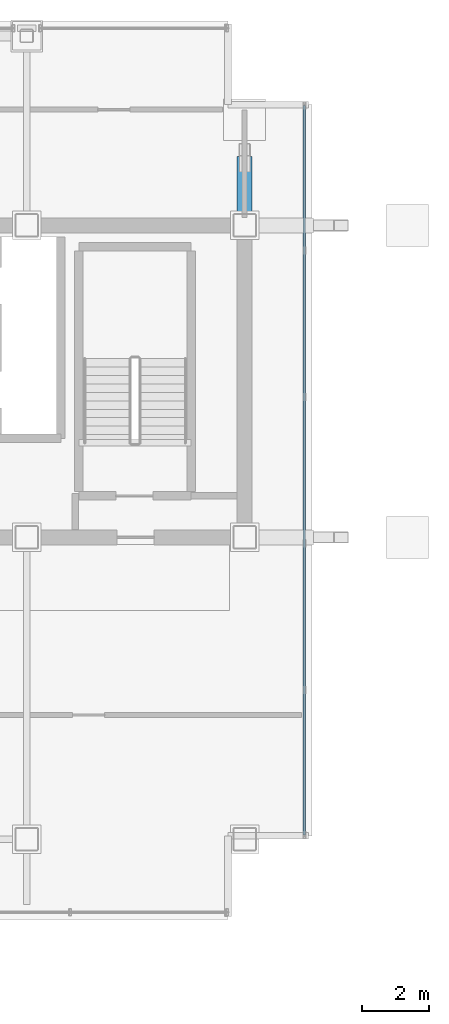
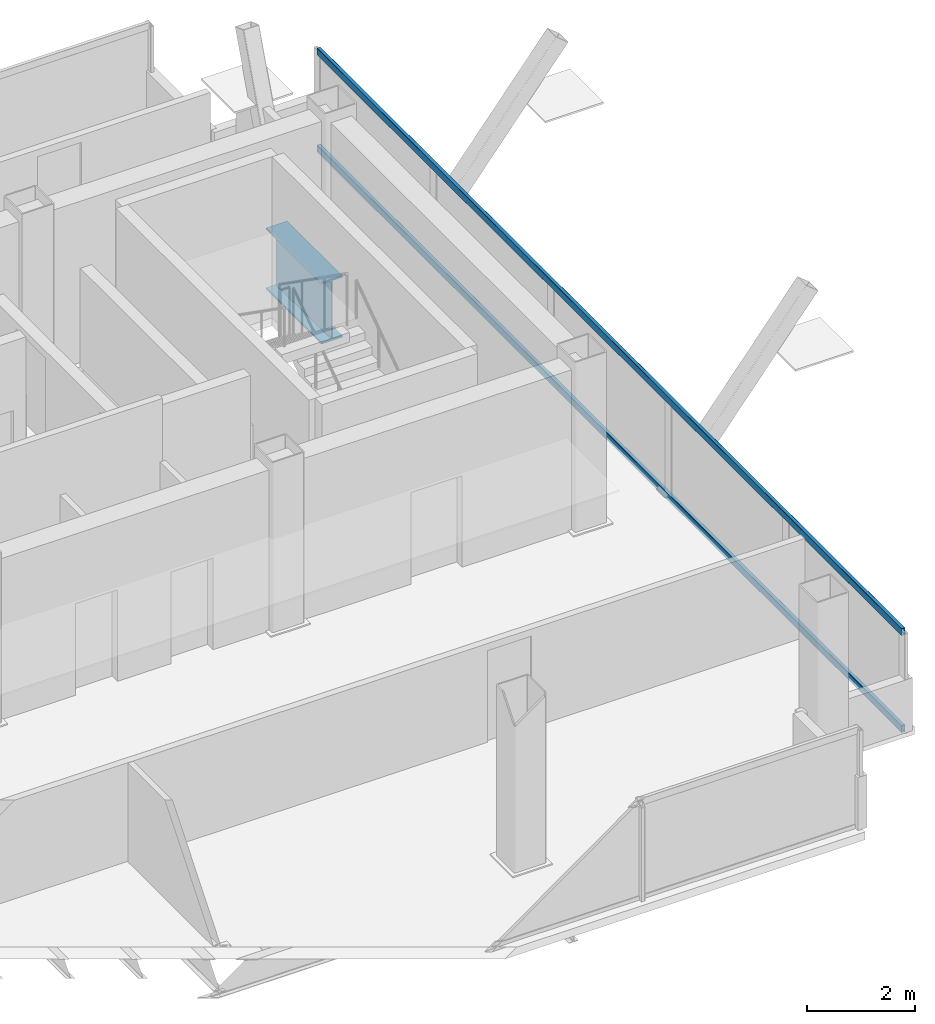
# One storey, part 11 of 16: 2 members, 1 beam, 1 element without a shape of its own.
"""IFC4 building model written with IfcOpenShell, lengths in metres."""

from ifc_helpers import new_model, si_unit, direction, frame, origin, origin_2d, place, context, subcontext, project, spatial, hollow_rectangle, i_section, extrude, material, material_profile, profile_set, type_object, element, aggregate, save


model = new_model("IFC4")

# Units and contexts
model_context = context("Model", 3, precision=1e-05, world=origin(), true_north=direction((0.0, 1.0)))
body_context = subcontext(model_context, "Body", "Model", "MODEL_VIEW")
ifc_project = project(units=[si_unit("LENGTHUNIT", "METRE"), si_unit("AREAUNIT", "SQUARE_METRE"), si_unit("VOLUMEUNIT", "CUBIC_METRE"), si_unit("PLANEANGLEUNIT", "RADIAN"), si_unit("MASSUNIT", "GRAM", prefix="KILO")], contexts=[model_context])

# Site, building, storey
site_placement = place(None, origin())
site = spatial("IfcSite", under=ifc_project, at=site_placement, CompositionType="ELEMENT")
building_placement = place(site_placement, origin())
building = spatial("IfcBuilding", under=site, at=building_placement, Name="Noeulbin Bourse Tower", CompositionType="ELEMENT")
storey_placement = place(building_placement, frame((0.0, 0.0, 277.39990234375)))
storey = spatial("IfcBuildingStorey", under=building, at=storey_placement, Name="L69", CompositionType="ELEMENT", Elevation=277.39990234375)

# Beam
ifc_material_1 = material(Name="Steel S460", Category="steel")
ifc_material_profile_1 = material_profile(ifc_material_1, i_section(OverallWidth=0.449951171875, OverallDepth=1.39990234375, WebThickness=0.02392578125, FlangeThickness=0.0400390625, FilletRadius=0.02392578125, at=origin_2d()), Name="PG-1400x450x24x40", Category="LoadBearing")
ifc_profile_set_1 = profile_set([ifc_material_profile_1], Name="Steel S460")
beam_type = type_object("IfcBeamType", Name="BM-TRF-1400", PredefinedType="USERDEFINED", material=ifc_profile_set_1)
beam_placement = place(storey_placement, frame((44.0, 38.300048828125, -0.8798828125), z_axis=(0.0, 1.0, 0.0), x_axis=(-1.0, 0.0, 0.0)))
element("IfcBeam", 1, at=beam_placement, inside=storey, type_object=beam_type, Name="Transfer Outrigger Corbel L69-03", ObjectType="GIRDER", PredefinedType="USERDEFINED", context=body_context, shape_type="SweptSolid", body=[
    extrude(i_section(OverallWidth=0.449951171875, OverallDepth=1.39990234375, WebThickness=0.02392578125, FlangeThickness=0.0400390625, FilletRadius=0.02392578125, at=origin_2d()), origin(), (0.0, 0.0, 1.0), 2.050048828125),
])

# Curtain wall, members
ifc_material_2 = material(Name="High-Selectivity Low-Iron Glazing", Category="glass")
curtain_wall_type = type_object("IfcCurtainWallType", Name="CW-SYS-4", PredefinedType="NOTDEFINED", material=ifc_material_2)
curtain_wall_placement = place(storey_placement, origin())
curtain_wall = element("IfcCurtainWall", 2, at=curtain_wall_placement, inside=storey, type_object=curtain_wall_type, Name="Unitised Curtain Wall CW-L69-E", PredefinedType="NOTDEFINED")
ifc_material_3 = material(Name="Anodised Aluminium 6063-T6", Category="aluminium")
ifc_material_profile_2 = material_profile(ifc_material_3, hollow_rectangle(XDim=0.074951171875, YDim=0.159912109375, WallThickness=0.0048828125, InnerFilletRadius=0.00244140625, OuterFilletRadius=0.0048828125, at=origin_2d()), Name="ALU-TRAN-75x160x5", Category="LoadBearing")
ifc_profile_set_2 = profile_set([ifc_material_profile_2], Name="Anodised Aluminium 6063-T6")
member_type = type_object("IfcMemberType", Name="CW-SYS-4-TRN", PredefinedType="USERDEFINED", material=ifc_profile_set_2)
member_1_placement = place(storey_placement, frame((45.780029296875, 20.1298828125, 0.010009765625), z_axis=(0.0, 1.0, 0.0), x_axis=(-1.0, 0.0, 0.0)))
member_1 = element("IfcMember", 3, at=member_1_placement, type_object=member_type, Name="Curtain Wall Transom CW-L69-E-T00", ObjectType="TRANSOM", PredefinedType="USERDEFINED", context=body_context, shape_type="SweptSolid", body=[
    extrude(hollow_rectangle(XDim=0.074951171875, YDim=0.159912109375, WallThickness=0.0048828125, InnerFilletRadius=0.00244140625, OuterFilletRadius=0.0048828125, at=origin_2d()), origin(), (0.0, 0.0, 1.0), 21.740234375),
])
member_2_placement = place(storey_placement, frame((45.780029296875, 20.1298828125, 2.210205078125), z_axis=(0.0, 1.0, 0.0), x_axis=(-1.0, 0.0, 0.0)))
member_2 = element("IfcMember", 4, at=member_2_placement, type_object=member_type, Name="Curtain Wall Transom CW-L69-E-T01", ObjectType="TRANSOM", PredefinedType="USERDEFINED", context=body_context, shape_type="SweptSolid", body=[
    extrude(hollow_rectangle(XDim=0.074951171875, YDim=0.159912109375, WallThickness=0.0048828125, InnerFilletRadius=0.00244140625, OuterFilletRadius=0.0048828125, at=origin_2d()), origin(), (0.0, 0.0, 1.0), 21.740234375),
])
aggregate(curtain_wall, [member_1, member_2])

save(model, "model.ifc")
